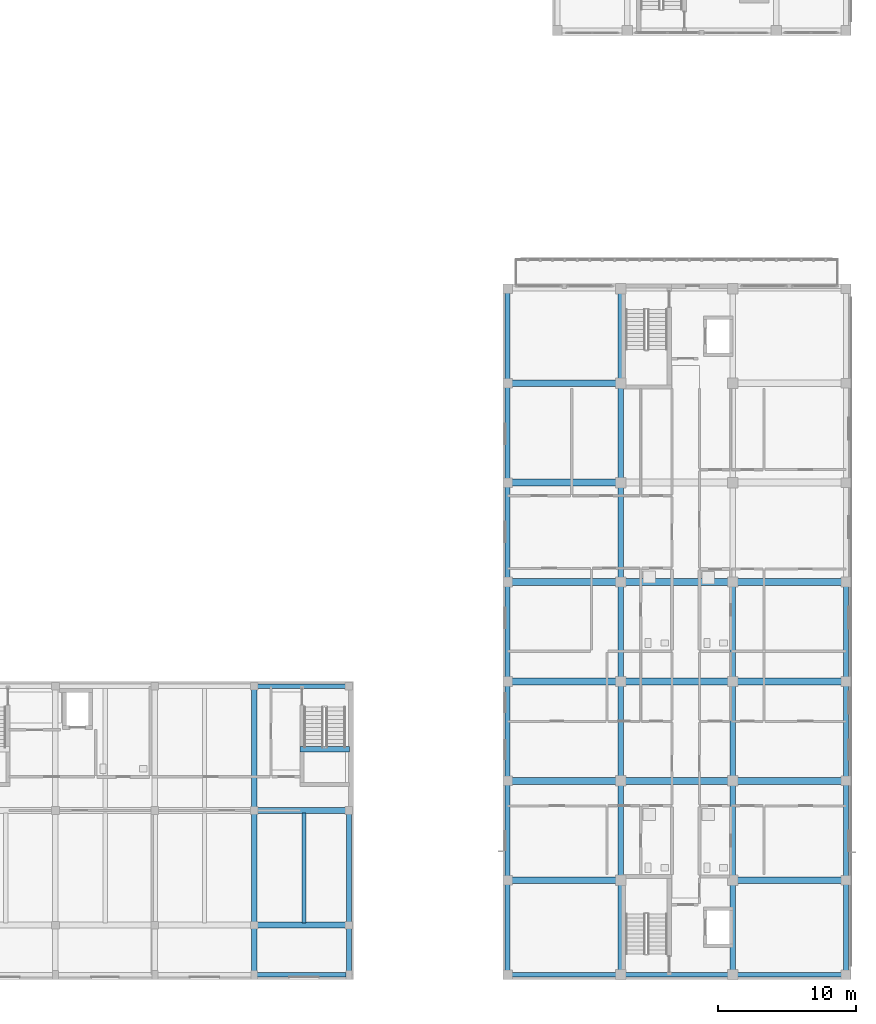
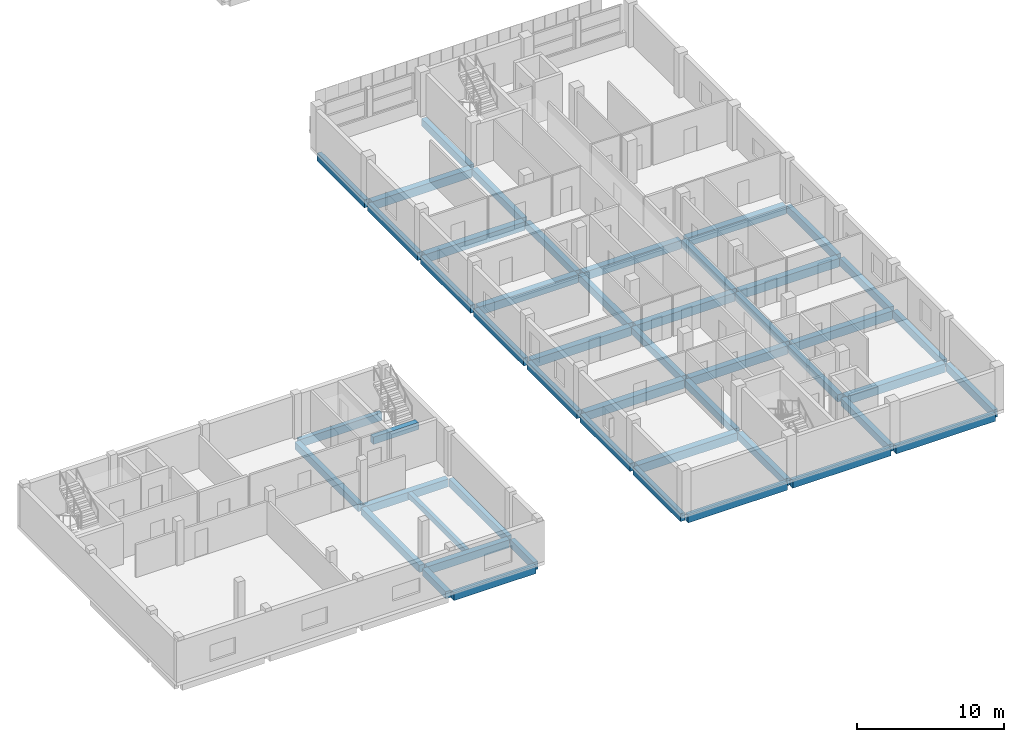
# One storey, part 22 of 73: 49 beams.
"""IFC4 building model written with IfcOpenShell, lengths in metres."""

import ifcopenshell
import ifcopenshell.guid

model = None  # the IFC model being written
_history = None  # IfcOwnerHistory: only IFC2X3 demands one
_inside = {}  # id of a spatial element -> (the spatial element, [elements in it])
_under = {}  # id of a project, library or spatial element -> (it, [spatial elements below it])
_declared = {}  # id of a project -> (the project, [libraries it declares])
_typed = {}  # id of a type object -> (the type object, [elements of that type])
_made_of = {}  # id of a material, layer set ... -> (it, [elements and type objects made of it])


def new_model(schema):
    """Start an empty IFC model of exactly this schema.

    Asked for "IFC4X3", IfcOpenShell would pick the latest addendum, in which some entities
    have other attributes; the version numbers below select the first issue.
    IFC2X3 requires an IfcOwnerHistory on every rooted entity: one is made here for all.
    """
    global model, _history
    if schema == "IFC4X3":
        model = ifcopenshell.file(schema_version=(4, 3, 0, 0))
    else:
        model = ifcopenshell.file(schema=schema)
    _inside.clear()
    _under.clear()
    _declared.clear()
    _typed.clear()
    _made_of.clear()
    _history = None
    if model.schema == "IFC2X3":
        org = make("IfcOrganization", Name="unknown")
        user = make(
            "IfcPersonAndOrganization",
            ThePerson=make("IfcPerson", FamilyName="unknown"),
            TheOrganization=org,
        )
        app = make(
            "IfcApplication",
            ApplicationDeveloper=org,
            Version="unknown",
            ApplicationFullName="unknown",
            ApplicationIdentifier="unknown",
        )
        _history = make(
            "IfcOwnerHistory",
            OwningUser=user,
            OwningApplication=app,
            ChangeAction="ADDED",
            CreationDate=0,
        )
    return model


def make(cls, **values):
    """One entity of the class cls with the attributes given. An attribute that is None is left unset."""
    return model.create_entity(
        cls, **{name: value for name, value in values.items() if value is not None}
    )


def rooted(cls, **values):
    """An entity with a GlobalId (a new one), such as an element, a storey or a relation."""
    return make(cls, GlobalId=ifcopenshell.guid.new(), OwnerHistory=_history, **values)


def si_unit(unit_type, name, prefix=None):
    """IfcSIUnit, for example si_unit("LENGTHUNIT", "METRE", prefix="MILLI")."""
    return make("IfcSIUnit", UnitType=unit_type, Prefix=prefix, Name=name)


def derived_unit(unit_type, elements):
    """IfcDerivedUnit: a product of units, each with its exponent."""
    return make(
        "IfcDerivedUnit",
        Elements=[
            make("IfcDerivedUnitElement", Unit=unit, Exponent=power)
            for unit, power in elements
        ],
        UnitType=unit_type,
    )


def assignment(units):
    """IfcUnitAssignment: the units of a project."""
    return None if units is None else make("IfcUnitAssignment", Units=units)


def point(xyz):
    """IfcCartesianPoint."""
    return None if xyz is None else make("IfcCartesianPoint", Coordinates=xyz)


def direction(xyz):
    """IfcDirection."""
    return None if xyz is None else make("IfcDirection", DirectionRatios=xyz)


def frame(location, z_axis=None, x_axis=None):
    """IfcAxis2Placement3D, a coordinate frame: its origin and axes. An axis left out is left unset."""
    return make(
        "IfcAxis2Placement3D",
        Location=point(location),
        Axis=direction(z_axis),
        RefDirection=direction(x_axis),
    )


def frame_2d(location, x_axis=None):
    """IfcAxis2Placement2D, a coordinate frame in the plane: its origin and x axis."""
    return make(
        "IfcAxis2Placement2D", Location=point(location), RefDirection=direction(x_axis)
    )


def origin():
    """The frame at (0, 0, 0) with its axes left unset."""
    return frame((0.0, 0.0, 0.0))


def origin_2d():
    """The frame at (0, 0) in the plane with its x axis left unset."""
    return frame_2d((0.0, 0.0))


def place(relative_to, where):
    """IfcLocalPlacement: puts the frame where relative to a parent placement (None: the world)."""
    return make(
        "IfcLocalPlacement", PlacementRelTo=relative_to, RelativePlacement=where
    )


def context(
    kind, dimensions, precision=None, world=None, true_north=None, identifier=None
):
    """IfcGeometricRepresentationContext, for example the 3D "Model" context."""
    return make(
        "IfcGeometricRepresentationContext",
        ContextIdentifier=identifier,
        ContextType=kind,
        CoordinateSpaceDimension=dimensions,
        Precision=precision,
        WorldCoordinateSystem=world,
        TrueNorth=true_north,
    )


def subcontext(parent, identifier, kind, view, scale=None):
    """IfcGeometricRepresentationSubContext, for example "Body" below "Model"."""
    return make(
        "IfcGeometricRepresentationSubContext",
        ContextIdentifier=identifier,
        ContextType=kind,
        ParentContext=parent,
        TargetScale=scale,
        TargetView=view,
    )


def project(units=None, contexts=None):
    """IfcProject with its units and contexts."""
    return rooted(
        "IfcProject",
        Name="project",
        RepresentationContexts=contexts,
        UnitsInContext=assignment(units),
    )


def spatial(cls, under=None, at=None, **own):
    """A site, building, storey or space (cls), placed at a placement, below another one or the project."""
    s = rooted(cls, ObjectPlacement=at, **own)
    if under is not None:
        _under.setdefault(under.id(), (under, []))[1].append(s)
    return s


def profile(cls, at=None, kind="AREA", **sizes):
    """A parametric profile (cls). Its sizes go by their IFC names, for example OverallWidth=200.0."""
    return make(cls, ProfileType=kind, Position=at, **sizes)


def rectangle(**sizes):
    """IfcRectangleProfileDef."""
    return profile("IfcRectangleProfileDef", **sizes)


def extrude(swept, where, along, depth):
    """IfcExtrudedAreaSolid: the profile swept, set in the frame where, extruded along a direction by depth."""
    return make(
        "IfcExtrudedAreaSolid",
        SweptArea=swept,
        Position=where,
        ExtrudedDirection=direction(along),
        Depth=depth,
    )


def shape(context_of_items, identifier, shape_type, items):
    """IfcShapeRepresentation: the items that make up one representation, for example the "Body"."""
    return make(
        "IfcShapeRepresentation",
        ContextOfItems=context_of_items,
        RepresentationIdentifier=identifier,
        RepresentationType=shape_type,
        Items=items,
    )


def material(Name=None, Category=None):
    """IfcMaterial."""
    return make("IfcMaterial", Name=Name, Category=Category)


def material_profile(
    of_material, cross_section, Name=None, Category=None, Priority=None
):
    """IfcMaterialProfile: a cross section and its material."""
    return make(
        "IfcMaterialProfile",
        Name=Name,
        Material=of_material,
        Profile=cross_section,
        Priority=Priority,
        Category=Category,
    )


def profile_set(profiles, Name=None, composite=None):
    """IfcMaterialProfileSet."""
    return make(
        "IfcMaterialProfileSet",
        Name=Name,
        MaterialProfiles=profiles,
        CompositeProfile=composite,
    )


def made_of(thing, what):
    """Note that an element or type object is made of a material, layer set ...; save() writes the relation."""
    if what is not None:
        _made_of.setdefault(what.id(), (what, []))[1].append(thing)
    return thing


def type_object(cls, material=None, **own):
    """A type object (cls), such as IfcWallType, which elements share."""
    return made_of(rooted(cls, **own), material)


def element(
    cls,
    number,
    at=None,
    inside=None,
    cuts=None,
    type_object=None,
    material=None,
    context=None,
    identifier="Body",
    shape_type=None,
    held_by="IfcProductDefinitionShape",
    body=None,
    shapes=None,
    **own,
):
    """One element of the class cls, such as IfcWall. Its Tag is "e" and its number.

    at: its placement. inside: the storey or other place that contains it. cuts: it is an
    opening in that element (IfcRelVoidsElement). A single representation is given by context,
    identifier, shape_type and body (its items); several are given by shapes. held_by: the class
    of the entity that holds the representations. save() writes the other relations.
    """
    e = rooted(cls, Tag="e%d" % number, ObjectPlacement=at, **own)
    if body is not None:
        shapes = [shape(context, identifier, shape_type, body)]
    if shapes is not None:
        e.Representation = make(held_by, Representations=shapes)
    if inside is not None:
        _inside.setdefault(inside.id(), (inside, []))[1].append(e)
    if cuts is not None:
        rooted(
            "IfcRelVoidsElement", RelatingBuildingElement=cuts, RelatedOpeningElement=e
        )
    if type_object is not None:
        _typed.setdefault(type_object.id(), (type_object, []))[1].append(e)
    return made_of(e, material)


def aggregate(whole, parts):
    """IfcRelAggregates: a whole, such as a stair, and the parts it consists of."""
    return rooted("IfcRelAggregates", RelatingObject=whole, RelatedObjects=parts)


def save(model, path):
    """Write the relations noted so far, then the file.

    IfcRelAggregates (storeys below a building ...), IfcRelContainedInSpatialStructure (elements
    in a storey), IfcRelDefinesByType, IfcRelAssociatesMaterial and IfcRelDeclares: one each for
    every whole, place, type object, material and project.
    """
    for whole, parts in _under.values():
        aggregate(whole, parts)
    for where, things in _inside.values():
        rooted(
            "IfcRelContainedInSpatialStructure",
            RelatedElements=things,
            RelatingStructure=where,
        )
    for kind, things in _typed.values():
        rooted("IfcRelDefinesByType", RelatedObjects=things, RelatingType=kind)
    for what, things in _made_of.values():
        rooted("IfcRelAssociatesMaterial", RelatedObjects=things, RelatingMaterial=what)
    for by, libraries in _declared.values():
        rooted("IfcRelDeclares", RelatingContext=by, RelatedDefinitions=libraries)
    model.write(path)


model = new_model("IFC4")

# Units and contexts
model_context = context("Model", 3, precision=1e-05, world=origin(), true_north=direction((0.0, 1.0)))
body_context = subcontext(model_context, "Body", "Model", "MODEL_VIEW")
ifc_project = project(units=[si_unit("LENGTHUNIT", "METRE"), si_unit("AREAUNIT", "SQUARE_METRE"), si_unit("VOLUMEUNIT", "CUBIC_METRE"), si_unit("PLANEANGLEUNIT", "RADIAN"), si_unit("MASSUNIT", "GRAM", prefix="KILO"), derived_unit("THERMALTRANSMITTANCEUNIT", [(si_unit("MASSUNIT", "GRAM", prefix="KILO"), 1), (si_unit("TIMEUNIT", "SECOND"), -3), (si_unit("THERMODYNAMICTEMPERATUREUNIT", "KELVIN"), -1)])], contexts=[model_context])

# Site, building, storey
site_placement = place(None, origin())
site = spatial("IfcSite", under=ifc_project, at=site_placement, CompositionType="ELEMENT")
building_placement = place(site_placement, origin())
building = spatial("IfcBuilding", under=site, at=building_placement, Name="Ochrekiln Boulevard Commons", CompositionType="ELEMENT")
storey_placement = place(building_placement, frame((0.0, 0.0, 4.89990234375)))
storey = spatial("IfcBuildingStorey", under=building, at=storey_placement, Name="L01", CompositionType="ELEMENT", Elevation=4.89990234375)

# Beams
ifc_material_1 = material(Name="Concrete C35/45", Category="concrete")
ifc_material_profile_1 = material_profile(ifc_material_1, rectangle(XDim=0.39990234375, YDim=0.60009765625, at=origin_2d()), Name="RC-BM-400x600")
ifc_profile_set_1 = profile_set([ifc_material_profile_1], Name="Concrete C35/45")
beam_type_1 = type_object("IfcBeamType", Name="BM-RC-400x600", PredefinedType="BEAM", material=ifc_profile_set_1)
beam_1_placement = place(storey_placement, frame((156.14990234375, 0.56005859375, -0.559814453125), z_axis=(0.0, 1.0, 0.0), x_axis=(-1.0, 0.0, 0.0)))
element("IfcBeam", 1, at=beam_1_placement, inside=storey, type_object=beam_type_1, Name="Block C L01 Beam B-4060 Y30", PredefinedType="BEAM", context=body_context, shape_type="SweptSolid", body=[
    extrude(rectangle(XDim=0.39990234375, YDim=0.60009765625, at=origin_2d()), origin(), (0.0, 0.0, 1.0), 6.429931640625),
])
beam_2_placement = place(storey_placement, frame((156.14990234375, 7.409912109375, -0.559814453125), z_axis=(0.0, 1.0, 0.0), x_axis=(-1.0, 0.0, 0.0)))
element("IfcBeam", 2, at=beam_2_placement, inside=storey, type_object=beam_type_1, Name="Block C L01 Beam B-4060 Y31", PredefinedType="BEAM", context=body_context, shape_type="SweptSolid", body=[
    extrude(rectangle(XDim=0.39990234375, YDim=0.60009765625, at=origin_2d()), origin(), (0.0, 0.0, 1.0), 6.780029296875),
])
beam_3_placement = place(storey_placement, frame((156.14990234375, 14.610107421875, -0.559814453125), z_axis=(0.0, 1.0, 0.0), x_axis=(-1.0, 0.0, 0.0)))
element("IfcBeam", 3, at=beam_3_placement, inside=storey, type_object=beam_type_1, Name="Block C L01 Beam B-4060 Y32", PredefinedType="BEAM", context=body_context, shape_type="SweptSolid", body=[
    extrude(rectangle(XDim=0.39990234375, YDim=0.60009765625, at=origin_2d()), origin(), (0.0, 0.0, 1.0), 6.77978515625),
])
for number, where, z_axis, x_axis, name in (
    (4, (156.14990234375, 21.81005859375, -0.559814453125), (0.0, 1.0, 0.0), (-1.0, 0.0, 0.0), "Block C L01 Beam B-4060 Y33"),
    (5, (156.14990234375, 29.010009765625, -0.559814453125), (0.0, 1.0, 0.0), (-1.0, 0.0, 0.0), "Block C L01 Beam B-4060 Y34"),
    (6, (156.14990234375, 36.2099609375, -0.559814453125), (0.0, 1.0, 0.0), (-1.0, 0.0, 0.0), "Block C L01 Beam B-4060 Y35"),
):
    element("IfcBeam", number, at=place(storey_placement, frame(where, z_axis=z_axis, x_axis=x_axis)), inside=storey, type_object=beam_type_1, Name=name, PredefinedType="BEAM", context=body_context, shape_type="SweptSolid", body=[
        extrude(rectangle(XDim=0.39990234375, YDim=0.60009765625, at=origin_2d()), origin(), (0.0, 0.0, 1.0), 6.780029296875),
    ])
beam_4_placement = place(storey_placement, frame((156.14990234375, 43.409912109375, -0.559814453125), z_axis=(0.0, 1.0, 0.0), x_axis=(-1.0, 0.0, 0.0)))
element("IfcBeam", 7, at=beam_4_placement, inside=storey, type_object=beam_type_1, Name="Block C L01 Beam B-4060 Y36", PredefinedType="BEAM", context=body_context, shape_type="SweptSolid", body=[
    extrude(rectangle(XDim=0.39990234375, YDim=0.60009765625, at=origin_2d()), origin(), (0.0, 0.0, 1.0), 6.43017578125),
])
beam_5_placement = place(storey_placement, frame((164.25, 0.56005859375, -0.559814453125), z_axis=(0.0, 1.0, 0.0), x_axis=(-1.0, 0.0, 0.0)))
element("IfcBeam", 8, at=beam_5_placement, inside=storey, type_object=beam_type_1, Name="Block C L01 Beam B-4060 Y37", PredefinedType="BEAM", context=body_context, shape_type="SweptSolid", body=[
    extrude(rectangle(XDim=0.39990234375, YDim=0.60009765625, at=origin_2d()), origin(), (0.0, 0.0, 1.0), 6.429931640625),
])
beam_6_placement = place(storey_placement, frame((164.25, 7.409912109375, -0.559814453125), z_axis=(0.0, 1.0, 0.0), x_axis=(-1.0, 0.0, 0.0)))
element("IfcBeam", 9, at=beam_6_placement, inside=storey, type_object=beam_type_1, Name="Block C L01 Beam B-4060 Y38", PredefinedType="BEAM", context=body_context, shape_type="SweptSolid", body=[
    extrude(rectangle(XDim=0.39990234375, YDim=0.60009765625, at=origin_2d()), origin(), (0.0, 0.0, 1.0), 6.780029296875),
])
beam_7_placement = place(storey_placement, frame((164.25, 14.610107421875, -0.559814453125), z_axis=(0.0, 1.0, 0.0), x_axis=(-1.0, 0.0, 0.0)))
element("IfcBeam", 10, at=beam_7_placement, inside=storey, type_object=beam_type_1, Name="Block C L01 Beam B-4060 Y39", PredefinedType="BEAM", context=body_context, shape_type="SweptSolid", body=[
    extrude(rectangle(XDim=0.39990234375, YDim=0.60009765625, at=origin_2d()), origin(), (0.0, 0.0, 1.0), 6.77978515625),
])
beam_8_placement = place(storey_placement, frame((164.25, 21.81005859375, -0.559814453125), z_axis=(0.0, 1.0, 0.0), x_axis=(-1.0, 0.0, 0.0)))
element("IfcBeam", 11, at=beam_8_placement, inside=storey, type_object=beam_type_1, Name="Block C L01 Beam B-4060 Y40", PredefinedType="BEAM", context=body_context, shape_type="SweptSolid", body=[
    extrude(rectangle(XDim=0.39990234375, YDim=0.60009765625, at=origin_2d()), origin(), (0.0, 0.0, 1.0), 6.780029296875),
])
beam_9_placement = place(storey_placement, frame((129.60009765625, 0.56005859375, -0.574951171875), z_axis=(0.0, 1.0, 0.0), x_axis=(-1.0, 0.0, 0.0)))
element("IfcBeam", 12, at=beam_9_placement, inside=storey, type_object=beam_type_1, Name="East Boulevard Shops and Arcade L01 Beam B-4060 Y25", PredefinedType="BEAM", context=body_context, shape_type="SweptSolid", body=[
    extrude(rectangle(XDim=0.39990234375, YDim=0.60009765625, at=origin_2d()), origin(), (0.0, 0.0, 1.0), 3.179931640625),
])
beam_10_placement = place(storey_placement, frame((129.60009765625, 4.159912109375, -0.574951171875), z_axis=(0.0, 1.0, 0.0), x_axis=(-1.0, 0.0, 0.0)))
element("IfcBeam", 13, at=beam_10_placement, inside=storey, type_object=beam_type_1, Name="East Boulevard Shops and Arcade L01 Beam B-4060 Y26", PredefinedType="BEAM", context=body_context, shape_type="SweptSolid", body=[
    extrude(rectangle(XDim=0.39990234375, YDim=0.60009765625, at=origin_2d()), origin(), (0.0, 0.0, 1.0), 7.880126953125),
])
beam_11_placement = place(storey_placement, frame((129.60009765625, 12.4599609375, -0.574951171875), z_axis=(0.0, 1.0, 0.0), x_axis=(-1.0, 0.0, 0.0)))
element("IfcBeam", 14, at=beam_11_placement, inside=storey, type_object=beam_type_1, Name="East Boulevard Shops and Arcade L01 Beam B-4060 Y27", PredefinedType="BEAM", context=body_context, shape_type="SweptSolid", body=[
    extrude(rectangle(XDim=0.39990234375, YDim=0.60009765625, at=origin_2d()), origin(), (0.0, 0.0, 1.0), 8.580078125),
])
beam_12_placement = place(storey_placement, frame((132.919921875, 16.679931640625, 1.32763671875), z_axis=(1.0, 0.0, 0.0), x_axis=(0.0, 1.0, 0.0)))
element("IfcBeam", 15, at=beam_12_placement, inside=storey, type_object=beam_type_1, Name="Stair ST-E2 L01 Half-Landing Support Beam B-4060", PredefinedType="BEAM", context=body_context, shape_type="SweptSolid", body=[
    extrude(rectangle(XDim=0.39990234375, YDim=0.60009765625, at=origin_2d()), origin(), (0.0, 0.0, 1.0), 3.56005859375),
])
ifc_material_profile_2 = material_profile(ifc_material_1, rectangle(XDim=0.449951171875, YDim=0.64990234375, at=origin_2d()), Name="RC-BM-450x650")
ifc_profile_set_2 = profile_set([ifc_material_profile_2], Name="Concrete C35/45")
beam_type_2 = type_object("IfcBeamType", Name="BM-RC-450x650", PredefinedType="BEAM", material=ifc_profile_set_2)
for number, where, z_axis, x_axis, name in (
    (16, (129.81005859375, 3.949951171875, -0.599853515625), (1.0, 0.0, 0.0), (0.0, 1.0, 0.0), "East Boulevard Shops and Arcade L01 Beam B-4565 X8"),
    (17, (129.81005859375, 12.25, -0.599853515625), (1.0, 0.0, 0.0), (0.0, 1.0, 0.0), "East Boulevard Shops and Arcade L01 Beam B-4565 X12"),
):
    element("IfcBeam", number, at=place(storey_placement, frame(where, z_axis=z_axis, x_axis=x_axis)), inside=storey, type_object=beam_type_2, Name=name, PredefinedType="BEAM", context=body_context, shape_type="SweptSolid", body=[
        extrude(rectangle(XDim=0.449951171875, YDim=0.64990234375, at=origin_2d()), origin(), (0.0, 0.0, 1.0), 6.429931640625),
    ])
ifc_material_2 = material(Name="Concrete C40/50", Category="concrete")
ifc_material_profile_3 = material_profile(ifc_material_2, rectangle(XDim=0.5, YDim=0.699951171875, at=origin_2d()), Name="RC-BM-500x700")
ifc_profile_set_3 = profile_set([ifc_material_profile_3], Name="Concrete C40/50")
beam_type_3 = type_object("IfcBeamType", Name="BM-RC-500x700", PredefinedType="BEAM", material=ifc_profile_set_3)
for number, where, z_axis, x_axis, name in (
    (18, (148.159912109375, 7.199951171875, -0.60986328125), (1.0, 0.0, 0.0), (0.0, 1.0, 0.0), "Block C L01 Beam B-5070 X4"),
    (19, (164.4599609375, 7.199951171875, -0.60986328125), (1.0, 0.0, 0.0), (0.0, 1.0, 0.0), "Block C L01 Beam B-5070 X5"),
    (20, (148.159912109375, 14.39990234375, -0.60986328125), (1.0, 0.0, 0.0), (0.0, 1.0, 0.0), "Block C L01 Beam B-5070 X6"),
):
    element("IfcBeam", number, at=place(storey_placement, frame(where, z_axis=z_axis, x_axis=x_axis)), inside=storey, type_object=beam_type_3, Name=name, PredefinedType="BEAM", context=body_context, shape_type="SweptSolid", body=[
        extrude(rectangle(XDim=0.5, YDim=0.699951171875, at=origin_2d()), origin(), (0.0, 0.0, 1.0), 7.780029296875),
    ])
beam_13_placement = place(storey_placement, frame((156.360107421875, 14.39990234375, -0.60986328125), z_axis=(1.0, 0.0, 0.0), x_axis=(0.0, 1.0, 0.0)))
element("IfcBeam", 21, at=beam_13_placement, inside=storey, type_object=beam_type_3, Name="Block C L01 Beam B-5070 X7", PredefinedType="BEAM", context=body_context, shape_type="SweptSolid", body=[
    extrude(rectangle(XDim=0.5, YDim=0.699951171875, at=origin_2d()), origin(), (0.0, 0.0, 1.0), 7.679931640625),
])
for number, where, z_axis, x_axis, name in (
    (22, (164.4599609375, 14.39990234375, -0.60986328125), (1.0, 0.0, 0.0), (0.0, 1.0, 0.0), "Block C L01 Beam B-5070 X8"),
    (23, (148.159912109375, 21.60009765625, -0.60986328125), (1.0, 0.0, 0.0), (0.0, 1.0, 0.0), "Block C L01 Beam B-5070 X9"),
):
    element("IfcBeam", number, at=place(storey_placement, frame(where, z_axis=z_axis, x_axis=x_axis)), inside=storey, type_object=beam_type_3, Name=name, PredefinedType="BEAM", context=body_context, shape_type="SweptSolid", body=[
        extrude(rectangle(XDim=0.5, YDim=0.699951171875, at=origin_2d()), origin(), (0.0, 0.0, 1.0), 7.780029296875),
    ])
beam_14_placement = place(storey_placement, frame((156.360107421875, 21.60009765625, -0.60986328125), z_axis=(1.0, 0.0, 0.0), x_axis=(0.0, 1.0, 0.0)))
element("IfcBeam", 24, at=beam_14_placement, inside=storey, type_object=beam_type_3, Name="Block C L01 Beam B-5070 X10", PredefinedType="BEAM", context=body_context, shape_type="SweptSolid", body=[
    extrude(rectangle(XDim=0.5, YDim=0.699951171875, at=origin_2d()), origin(), (0.0, 0.0, 1.0), 7.679931640625),
])
for number, where, z_axis, x_axis, name in (
    (25, (164.4599609375, 21.60009765625, -0.60986328125), (1.0, 0.0, 0.0), (0.0, 1.0, 0.0), "Block C L01 Beam B-5070 X11"),
    (26, (148.159912109375, 28.800048828125, -0.60986328125), (1.0, 0.0, 0.0), (0.0, 1.0, 0.0), "Block C L01 Beam B-5070 X12"),
):
    element("IfcBeam", number, at=place(storey_placement, frame(where, z_axis=z_axis, x_axis=x_axis)), inside=storey, type_object=beam_type_3, Name=name, PredefinedType="BEAM", context=body_context, shape_type="SweptSolid", body=[
        extrude(rectangle(XDim=0.5, YDim=0.699951171875, at=origin_2d()), origin(), (0.0, 0.0, 1.0), 7.780029296875),
    ])
beam_15_placement = place(storey_placement, frame((156.360107421875, 28.800048828125, -0.60986328125), z_axis=(1.0, 0.0, 0.0), x_axis=(0.0, 1.0, 0.0)))
element("IfcBeam", 27, at=beam_15_placement, inside=storey, type_object=beam_type_3, Name="Block C L01 Beam B-5070 X13", PredefinedType="BEAM", context=body_context, shape_type="SweptSolid", body=[
    extrude(rectangle(XDim=0.5, YDim=0.699951171875, at=origin_2d()), origin(), (0.0, 0.0, 1.0), 7.679931640625),
])
for number, where, z_axis, x_axis, name in (
    (28, (164.4599609375, 28.800048828125, -0.60986328125), (1.0, 0.0, 0.0), (0.0, 1.0, 0.0), "Block C L01 Beam B-5070 X14"),
    (29, (148.159912109375, 36.0, -0.60986328125), (1.0, 0.0, 0.0), (0.0, 1.0, 0.0), "Block C L01 Beam B-5070 X15"),
    (30, (148.159912109375, 43.199951171875, -0.60986328125), (1.0, 0.0, 0.0), (0.0, 1.0, 0.0), "Block C L01 Beam B-5070 X18"),
):
    element("IfcBeam", number, at=place(storey_placement, frame(where, z_axis=z_axis, x_axis=x_axis)), inside=storey, type_object=beam_type_3, Name=name, PredefinedType="BEAM", context=body_context, shape_type="SweptSolid", body=[
        extrude(rectangle(XDim=0.5, YDim=0.699951171875, at=origin_2d()), origin(), (0.0, 0.0, 1.0), 7.780029296875),
    ])
ifc_material_profile_4 = material_profile(ifc_material_1, rectangle(XDim=0.300048828125, YDim=0.449951171875, at=origin_2d()), Name="RC-JST-300x450")
ifc_profile_set_4 = profile_set([ifc_material_profile_4], Name="Concrete C35/45")
beam_type_4 = type_object("IfcBeamType", Name="JST-RC-300x450", PredefinedType="JOIST", material=ifc_profile_set_4)
beam_16_placement = place(storey_placement, frame((133.199951171875, 4.1201171875, -0.5), z_axis=(0.0, 1.0, 0.0), x_axis=(-1.0, 0.0, 0.0)))
element("IfcBeam", 31, at=beam_16_placement, inside=storey, type_object=beam_type_4, Name="Boulevard Arcade L01 Floor Joist J-3045 (24)", PredefinedType="JOIST", context=body_context, shape_type="SweptSolid", body=[
    extrude(rectangle(XDim=0.300048828125, YDim=0.449951171875, at=origin_2d()), origin(), (0.0, 0.0, 1.0), 7.9599609375),
])
ifc_material_profile_5 = material_profile(ifc_material_2, rectangle(XDim=0.35009765625, YDim=0.64990234375, at=origin_2d()), Name="RC-SPN-350x650")
ifc_profile_set_5 = profile_set([ifc_material_profile_5], Name="Concrete C40/50")
beam_type_5 = type_object("IfcBeamType", Name="SPN-RC-350x650", PredefinedType="SPANDREL", material=ifc_profile_set_5)
beam_17_placement = place(storey_placement, frame((148.159912109375, 0.35009765625, -0.5849609375), z_axis=(1.0, 0.0, 0.0), x_axis=(0.0, 1.0, 0.0)))
element("IfcBeam", 32, at=beam_17_placement, inside=storey, type_object=beam_type_5, Name="Block C L01 Beam SP-3565 X1", PredefinedType="SPANDREL", context=body_context, shape_type="SweptSolid", body=[
    extrude(rectangle(XDim=0.35009765625, YDim=0.64990234375, at=origin_2d()), origin(), (0.0, 0.0, 1.0), 7.780029296875),
])
beam_18_placement = place(storey_placement, frame((156.360107421875, 0.35009765625, -0.5849609375), z_axis=(1.0, 0.0, 0.0), x_axis=(0.0, 1.0, 0.0)))
element("IfcBeam", 33, at=beam_18_placement, inside=storey, type_object=beam_type_5, Name="Block C L01 Beam SP-3565 X2", PredefinedType="SPANDREL", context=body_context, shape_type="SweptSolid", body=[
    extrude(rectangle(XDim=0.35009765625, YDim=0.64990234375, at=origin_2d()), origin(), (0.0, 0.0, 1.0), 7.679931640625),
])
beam_19_placement = place(storey_placement, frame((164.4599609375, 0.35009765625, -0.5849609375), z_axis=(1.0, 0.0, 0.0), x_axis=(0.0, 1.0, 0.0)))
element("IfcBeam", 34, at=beam_19_placement, inside=storey, type_object=beam_type_5, Name="Block C L01 Beam SP-3565 X3", PredefinedType="SPANDREL", context=body_context, shape_type="SweptSolid", body=[
    extrude(rectangle(XDim=0.35009765625, YDim=0.64990234375, at=origin_2d()), origin(), (0.0, 0.0, 1.0), 7.780029296875),
])
beam_20_placement = place(storey_placement, frame((147.949951171875, 0.56005859375, -0.5849609375), z_axis=(0.0, 1.0, 0.0), x_axis=(-1.0, 0.0, 0.0)))
element("IfcBeam", 35, at=beam_20_placement, inside=storey, type_object=beam_type_5, Name="Block C L01 Beam SP-3565 Y23", PredefinedType="SPANDREL", context=body_context, shape_type="SweptSolid", body=[
    extrude(rectangle(XDim=0.35009765625, YDim=0.64990234375, at=origin_2d()), origin(), (0.0, 0.0, 1.0), 6.429931640625),
])
beam_21_placement = place(storey_placement, frame((147.949951171875, 7.409912109375, -0.5849609375), z_axis=(0.0, 1.0, 0.0), x_axis=(-1.0, 0.0, 0.0)))
element("IfcBeam", 36, at=beam_21_placement, inside=storey, type_object=beam_type_5, Name="Block C L01 Beam SP-3565 Y24", PredefinedType="SPANDREL", context=body_context, shape_type="SweptSolid", body=[
    extrude(rectangle(XDim=0.35009765625, YDim=0.64990234375, at=origin_2d()), origin(), (0.0, 0.0, 1.0), 6.780029296875),
])
beam_22_placement = place(storey_placement, frame((147.949951171875, 14.610107421875, -0.5849609375), z_axis=(0.0, 1.0, 0.0), x_axis=(-1.0, 0.0, 0.0)))
element("IfcBeam", 37, at=beam_22_placement, inside=storey, type_object=beam_type_5, Name="Block C L01 Beam SP-3565 Y25", PredefinedType="SPANDREL", context=body_context, shape_type="SweptSolid", body=[
    extrude(rectangle(XDim=0.35009765625, YDim=0.64990234375, at=origin_2d()), origin(), (0.0, 0.0, 1.0), 6.77978515625),
])
for number, where, z_axis, x_axis, name in (
    (38, (147.949951171875, 21.81005859375, -0.5849609375), (0.0, 1.0, 0.0), (-1.0, 0.0, 0.0), "Block C L01 Beam SP-3565 Y26"),
    (39, (147.949951171875, 29.010009765625, -0.5849609375), (0.0, 1.0, 0.0), (-1.0, 0.0, 0.0), "Block C L01 Beam SP-3565 Y27"),
    (40, (147.949951171875, 36.2099609375, -0.5849609375), (0.0, 1.0, 0.0), (-1.0, 0.0, 0.0), "Block C L01 Beam SP-3565 Y28"),
):
    element("IfcBeam", number, at=place(storey_placement, frame(where, z_axis=z_axis, x_axis=x_axis)), inside=storey, type_object=beam_type_5, Name=name, PredefinedType="SPANDREL", context=body_context, shape_type="SweptSolid", body=[
        extrude(rectangle(XDim=0.35009765625, YDim=0.64990234375, at=origin_2d()), origin(), (0.0, 0.0, 1.0), 6.780029296875),
    ])
beam_23_placement = place(storey_placement, frame((147.949951171875, 43.409912109375, -0.5849609375), z_axis=(0.0, 1.0, 0.0), x_axis=(-1.0, 0.0, 0.0)))
element("IfcBeam", 41, at=beam_23_placement, inside=storey, type_object=beam_type_5, Name="Block C L01 Beam SP-3565 Y29", PredefinedType="SPANDREL", context=body_context, shape_type="SweptSolid", body=[
    extrude(rectangle(XDim=0.35009765625, YDim=0.64990234375, at=origin_2d()), origin(), (0.0, 0.0, 1.0), 6.43017578125),
])
beam_24_placement = place(storey_placement, frame((172.449951171875, 0.56005859375, -0.5849609375), z_axis=(0.0, 1.0, 0.0), x_axis=(-1.0, 0.0, 0.0)))
element("IfcBeam", 42, at=beam_24_placement, inside=storey, type_object=beam_type_5, Name="Block C L01 Beam SP-3565 Y44", PredefinedType="SPANDREL", context=body_context, shape_type="SweptSolid", body=[
    extrude(rectangle(XDim=0.35009765625, YDim=0.64990234375, at=origin_2d()), origin(), (0.0, 0.0, 1.0), 6.429931640625),
])
beam_25_placement = place(storey_placement, frame((172.449951171875, 7.409912109375, -0.5849609375), z_axis=(0.0, 1.0, 0.0), x_axis=(-1.0, 0.0, 0.0)))
element("IfcBeam", 43, at=beam_25_placement, inside=storey, type_object=beam_type_5, Name="Block C L01 Beam SP-3565 Y45", PredefinedType="SPANDREL", context=body_context, shape_type="SweptSolid", body=[
    extrude(rectangle(XDim=0.35009765625, YDim=0.64990234375, at=origin_2d()), origin(), (0.0, 0.0, 1.0), 6.780029296875),
])
beam_26_placement = place(storey_placement, frame((172.449951171875, 14.610107421875, -0.5849609375), z_axis=(0.0, 1.0, 0.0), x_axis=(-1.0, 0.0, 0.0)))
element("IfcBeam", 44, at=beam_26_placement, inside=storey, type_object=beam_type_5, Name="Block C L01 Beam SP-3565 Y46", PredefinedType="SPANDREL", context=body_context, shape_type="SweptSolid", body=[
    extrude(rectangle(XDim=0.35009765625, YDim=0.64990234375, at=origin_2d()), origin(), (0.0, 0.0, 1.0), 6.77978515625),
])
beam_27_placement = place(storey_placement, frame((172.449951171875, 21.81005859375, -0.5849609375), z_axis=(0.0, 1.0, 0.0), x_axis=(-1.0, 0.0, 0.0)))
element("IfcBeam", 45, at=beam_27_placement, inside=storey, type_object=beam_type_5, Name="Block C L01 Beam SP-3565 Y47", PredefinedType="SPANDREL", context=body_context, shape_type="SweptSolid", body=[
    extrude(rectangle(XDim=0.35009765625, YDim=0.64990234375, at=origin_2d()), origin(), (0.0, 0.0, 1.0), 6.780029296875),
])
for number, where, z_axis, x_axis, name in (
    (46, (129.81005859375, 0.35009765625, -0.599853515625), (1.0, 0.0, 0.0), (0.0, 1.0, 0.0), "East Boulevard Shops and Arcade L01 Beam SP-3565 X4"),
    (47, (129.81005859375, 21.25, -0.599853515625), (1.0, 0.0, 0.0), (0.0, 1.0, 0.0), "East Boulevard Shops and Arcade L01 Beam SP-3565 X16"),
):
    element("IfcBeam", number, at=place(storey_placement, frame(where, z_axis=z_axis, x_axis=x_axis)), inside=storey, type_object=beam_type_5, Name=name, PredefinedType="SPANDREL", context=body_context, shape_type="SweptSolid", body=[
        extrude(rectangle(XDim=0.35009765625, YDim=0.64990234375, at=origin_2d()), origin(), (0.0, 0.0, 1.0), 6.429931640625),
    ])
beam_28_placement = place(storey_placement, frame((136.449951171875, 0.56005859375, -0.599853515625), z_axis=(0.0, 1.0, 0.0), x_axis=(-1.0, 0.0, 0.0)))
element("IfcBeam", 48, at=beam_28_placement, inside=storey, type_object=beam_type_5, Name="East Boulevard Shops and Arcade L01 Beam SP-3565 Y28", PredefinedType="SPANDREL", context=body_context, shape_type="SweptSolid", body=[
    extrude(rectangle(XDim=0.35009765625, YDim=0.64990234375, at=origin_2d()), origin(), (0.0, 0.0, 1.0), 3.179931640625),
])
beam_29_placement = place(storey_placement, frame((136.449951171875, 4.159912109375, -0.599853515625), z_axis=(0.0, 1.0, 0.0), x_axis=(-1.0, 0.0, 0.0)))
element("IfcBeam", 49, at=beam_29_placement, inside=storey, type_object=beam_type_5, Name="East Boulevard Shops and Arcade L01 Beam SP-3565 Y29", PredefinedType="SPANDREL", context=body_context, shape_type="SweptSolid", body=[
    extrude(rectangle(XDim=0.35009765625, YDim=0.64990234375, at=origin_2d()), origin(), (0.0, 0.0, 1.0), 7.880126953125),
])

save(model, "model.ifc")
